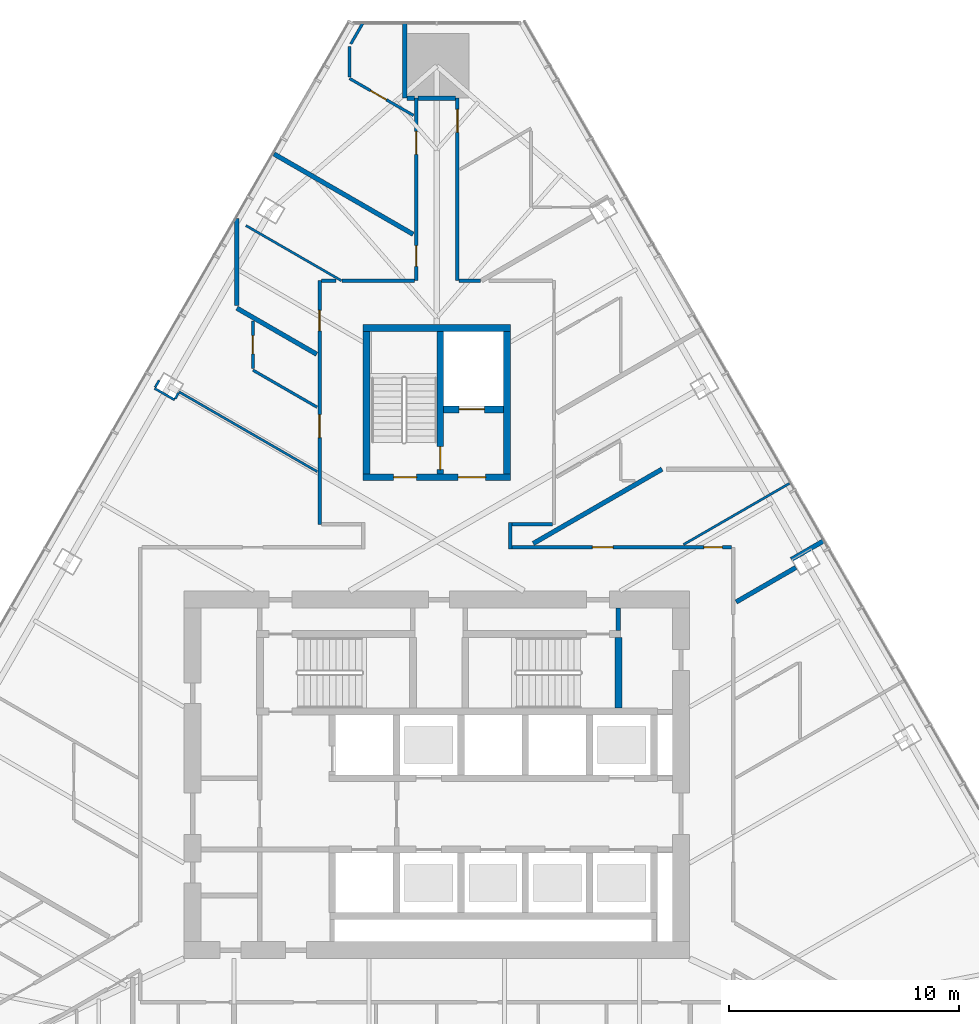
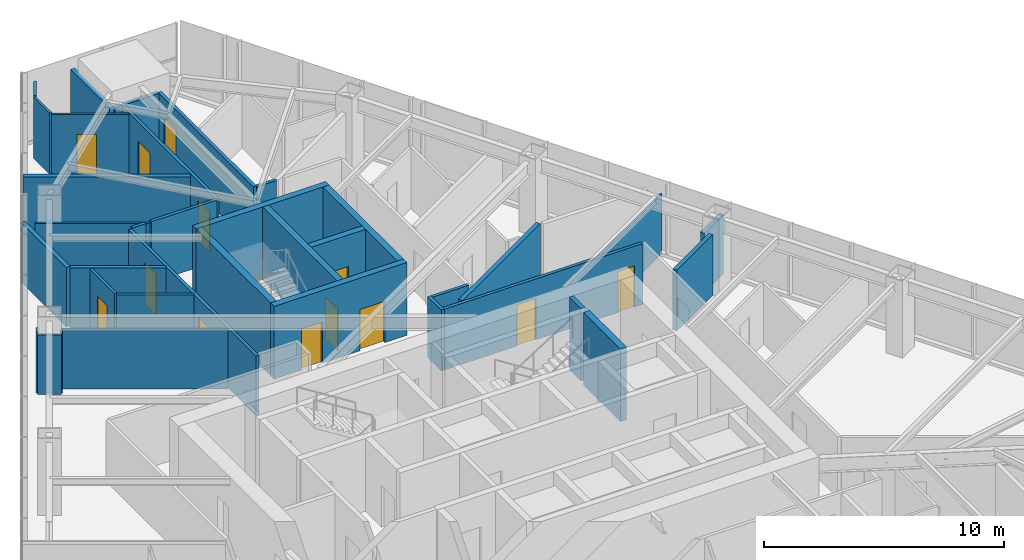
# One storey, part 16 of 19: 37 walls, 13 doors, 13 openings.
"""IFC4 building model written with IfcOpenShell, lengths in metres."""

from ifc_helpers import new_model, si_unit, direction, frame, frame_2d, origin, place, context, subcontext, project, spatial, rectangle, extrude, material, layer, layer_set, type_object, element, fill, save


model = new_model("IFC4")

# Units and contexts
model_context = context("Model", 3, precision=1e-05, world=origin(), true_north=direction((0.0, 1.0)))
body_context = subcontext(model_context, "Body", "Model", "MODEL_VIEW")
ifc_project = project(units=[si_unit("LENGTHUNIT", "METRE"), si_unit("AREAUNIT", "SQUARE_METRE"), si_unit("VOLUMEUNIT", "CUBIC_METRE"), si_unit("PLANEANGLEUNIT", "RADIAN"), si_unit("MASSUNIT", "GRAM", prefix="KILO")], contexts=[model_context])

# Site, building, storey
site_placement = place(None, origin())
site = spatial("IfcSite", under=ifc_project, at=site_placement, CompositionType="ELEMENT")
building_placement = place(site_placement, origin())
building = spatial("IfcBuilding", under=site, at=building_placement, Name="Firuza Gate Tower and Library", CompositionType="ELEMENT")
storey_placement = place(building_placement, frame((0.0, 0.0, 183.10009765625)))
storey = spatial("IfcBuildingStorey", under=building, at=storey_placement, Name="L42", CompositionType="ELEMENT", Elevation=183.10009765625)

# Walls
ifc_material_1 = material(Name="Plasterboard on steel studs", Category="steel")
ifc_layer_1 = layer(ifc_material_1, 0.199951171875)
ifc_layer_set_1 = layer_set([ifc_layer_1], Name="Core partition 200 EI 60")
wall_type_1 = type_object("IfcWallType", Name="Core partition 200 EI 60", PredefinedType="PARTITIONING", material=ifc_layer_set_1)
wall_1_placement = place(storey_placement, frame((82.89990234375, 81.280029296875, 0.0), z_axis=(0.0, 0.0, 1.0), x_axis=(0.0, 1.0, 0.0)))
element("IfcWall", 1, at=wall_1_placement, inside=storey, type_object=wall_type_1, Name="Core partition L42 14", PredefinedType="PARTITIONING", context=body_context, shape_type="SweptSolid", body=[
    extrude(rectangle(XDim=0.969970703125, YDim=0.199951171875, at=frame_2d((0.48486328125, 0.0))), origin(), (0.0, 0.0, 1.0), 3.699951171875),
])
ifc_material_2 = material(Name="Concrete C80/95", Category="concrete")
ifc_layer_2 = layer(ifc_material_2, 0.300048828125)
ifc_layer_set_2 = layer_set([ifc_layer_2], Name="Core wall 300 C80/95")
wall_type_2 = type_object("IfcWallType", Name="Core wall 300 C80/95", PredefinedType="SHEAR", material=ifc_layer_set_2)
wall_2_placement = place(storey_placement, frame((82.89990234375, 77.89990234375, 0.0), z_axis=(0.0, 0.0, 1.0), x_axis=(0.0, 1.0, 0.0)))
element("IfcWall", 2, at=wall_2_placement, inside=storey, type_object=wall_type_2, Name="Core wall L42 26", PredefinedType="SHEAR", context=body_context, shape_type="SweptSolid", body=[
    extrude(rectangle(XDim=3.080078125, YDim=0.300048828125, at=frame_2d((1.5400390625, 0.0))), origin(), (0.0, 0.0, 1.0), 3.699951171875),
])

# Wall, openings, doors
wall_3_placement = place(storey_placement, frame((71.800048828125, 87.949951171875, 0.0), z_axis=(0.0, 0.0, 1.0), x_axis=(1.0, 0.0, 0.0)))
wall_3 = element("IfcWall", 3, at=wall_3_placement, inside=storey, type_object=wall_type_2, Name="Core wall L42 27", PredefinedType="SHEAR", context=body_context, shape_type="SweptSolid", body=[
    extrude(rectangle(XDim=6.39990234375, YDim=0.300048828125, at=frame_2d((3.199951171875, 0.0))), origin(), (0.0, 0.0, 1.0), 3.699951171875),
])
opening_1_placement = place(wall_3_placement, frame((1.324951171875, 0.0, 0.0)))
opening_1 = element("IfcOpeningElement", 4, at=opening_1_placement, cuts=wall_3, Name="Opening L42-K15", PredefinedType="OPENING", context=body_context, shape_type="SweptSolid", body=[
    extrude(rectangle(XDim=1.0, YDim=2.10009765625, at=frame_2d((0.5, 1.050048828125))), frame((0.0, 0.16015625, 0.0), z_axis=(0.0, -1.0, 0.0), x_axis=(1.0, 0.0, 0.0)), (0.0, 0.0, 1.0), 0.320068359375),
])
opening_2_placement = place(wall_3_placement, frame((4.125, 0.0, 0.0)))
opening_2 = element("IfcOpeningElement", 5, at=opening_2_placement, cuts=wall_3, Name="Opening L42-K17", PredefinedType="OPENING", context=body_context, shape_type="SweptSolid", body=[
    extrude(rectangle(XDim=1.199951171875, YDim=2.10009765625, at=frame_2d((0.60009765625, 1.050048828125))), frame((0.0, 0.16015625, 0.0), z_axis=(0.0, -1.0, 0.0), x_axis=(1.0, 0.0, 0.0)), (0.0, 0.0, 1.0), 0.320068359375),
])
ifc_material_3 = material(Name="Steel", Category="steel")
door_type_1 = type_object("IfcDoorType", Name="Fire door 1000x2100 FD90", OperationType="NOTDEFINED", PredefinedType="DOOR", material=ifc_material_3)
door_1_placement = place(opening_1_placement, origin())
door_1 = element("IfcDoor", 6, at=door_1_placement, inside=storey, type_object=door_type_1, Name="Door L42-K15", OperationType="SINGLE_SWING_RIGHT", OverallHeight=2.10009765625, OverallWidth=1.0, PredefinedType="DOOR", context=body_context, shape_type="SweptSolid", body=[
    extrude(rectangle(XDim=1.0, YDim=2.10009765625, at=frame_2d((0.5, 1.050048828125))), frame((0.0, 0.02490234375, 0.0), z_axis=(0.0, -1.0, 0.0), x_axis=(1.0, 0.0, 0.0)), (0.0, 0.0, 1.0), 0.050048828125),
])
fill(opening_1, door_1)
ifc_material_4 = material(Name="Steel", Category="steel")
door_type_2 = type_object("IfcDoorType", Name="Fire door 1200x2100 FD30S", OperationType="NOTDEFINED", PredefinedType="DOOR", material=ifc_material_4)
door_2_placement = place(opening_2_placement, origin())
door_2 = element("IfcDoor", 7, at=door_2_placement, inside=storey, type_object=door_type_2, Name="Door L42-K17", OperationType="SINGLE_SWING_RIGHT", OverallHeight=2.10009765625, OverallWidth=1.199951171875, PredefinedType="DOOR", context=body_context, shape_type="SweptSolid", body=[
    extrude(rectangle(XDim=1.199951171875, YDim=2.10009765625, at=frame_2d((0.60009765625, 1.050048828125))), frame((0.0, 0.02490234375, 0.0), z_axis=(0.0, -1.0, 0.0), x_axis=(1.0, 0.0, 0.0)), (0.0, 0.0, 1.0), 0.050048828125),
])
fill(opening_2, door_2)

# Walls
wall_4_placement = place(storey_placement, frame((71.800048828125, 94.449951171875, 0.0), z_axis=(0.0, 0.0, 1.0), x_axis=(1.0, 0.0, 0.0)))
element("IfcWall", 8, at=wall_4_placement, inside=storey, type_object=wall_type_2, Name="Core wall L42 28", PredefinedType="SHEAR", context=body_context, shape_type="SweptSolid", body=[
    extrude(rectangle(XDim=6.39990234375, YDim=0.300048828125, at=frame_2d((3.199951171875, 0.0))), origin(), (0.0, 0.0, 1.0), 3.699951171875),
])
for number, where, z_axis, x_axis, name in (
    (9, (71.949951171875, 88.10009765625, 0.0), (0.0, 0.0, 1.0), (0.0, 1.0, 0.0), "Core wall L42 29"),
    (10, (78.050048828125, 88.10009765625, 0.0), (0.0, 0.0, 1.0), (0.0, 1.0, 0.0), "Core wall L42 30"),
):
    element("IfcWall", number, at=place(storey_placement, frame(where, z_axis=z_axis, x_axis=x_axis)), inside=storey, type_object=wall_type_2, Name=name, PredefinedType="SHEAR", context=body_context, shape_type="SweptSolid", body=[
        extrude(rectangle(XDim=6.199951171875, YDim=0.300048828125, at=frame_2d((3.10009765625, 0.0))), origin(), (0.0, 0.0, 1.0), 3.699951171875),
    ])

# Wall, opening, door
wall_5_placement = place(storey_placement, frame((75.300048828125, 90.89990234375, 0.0), z_axis=(0.0, 0.0, 1.0), x_axis=(1.0, 0.0, 0.0)))
wall_5 = element("IfcWall", 11, at=wall_5_placement, inside=storey, type_object=wall_type_2, Name="Core wall L42 31", PredefinedType="SHEAR", context=body_context, shape_type="SweptSolid", body=[
    extrude(rectangle(XDim=2.599853515625, YDim=0.300048828125, at=frame_2d((1.2998046875, 0.0))), origin(), (0.0, 0.0, 1.0), 3.699951171875),
])
opening_3_placement = place(wall_5_placement, frame((0.675048828125, 0.0, 0.0)))
opening_3 = element("IfcOpeningElement", 12, at=opening_3_placement, cuts=wall_5, Name="Opening LD-SV1-L42", PredefinedType="OPENING", context=body_context, shape_type="SweptSolid", body=[
    extrude(rectangle(XDim=1.10009765625, YDim=2.10009765625, at=frame_2d((0.550048828125, 1.050048828125))), frame((0.0, 0.16015625, 0.0), z_axis=(0.0, -1.0, 0.0), x_axis=(1.0, 0.0, 0.0)), (0.0, 0.0, 1.0), 0.320068359375),
])
ifc_material_5 = material(Name="Stainless steel", Category="steel")
door_type_3 = type_object("IfcDoorType", Name="Lift landing door 1100x2100", OperationType="DOUBLE_DOOR_SLIDING", PredefinedType="DOOR", material=ifc_material_5)
door_3_placement = place(opening_3_placement, origin())
door_3 = element("IfcDoor", 13, at=door_3_placement, inside=storey, type_object=door_type_3, Name="Landing door SV1 L42", OperationType="DOUBLE_DOOR_SLIDING", OverallHeight=2.10009765625, OverallWidth=1.10009765625, PredefinedType="DOOR", context=body_context, shape_type="SweptSolid", body=[
    extrude(rectangle(XDim=1.10009765625, YDim=2.10009765625, at=frame_2d((0.550048828125, 1.050048828125))), frame((0.0, 0.02490234375, 0.0), z_axis=(0.0, -1.0, 0.0), x_axis=(1.0, 0.0, 0.0)), (0.0, 0.0, 1.0), 0.050048828125),
])
fill(opening_3, door_3)

wall_6_placement = place(storey_placement, frame((75.14990234375, 88.10009765625, 0.0), z_axis=(0.0, 0.0, 1.0), x_axis=(0.0, 1.0, 0.0)))
wall_6 = element("IfcWall", 14, at=wall_6_placement, inside=storey, type_object=wall_type_2, Name="Core wall L42 32", PredefinedType="SHEAR", context=body_context, shape_type="SweptSolid", body=[
    extrude(rectangle(XDim=6.199951171875, YDim=0.300048828125, at=frame_2d((3.10009765625, 0.0))), origin(), (0.0, 0.0, 1.0), 3.699951171875),
])
opening_4_placement = place(wall_6_placement, frame((0.18505859375, 0.0, 0.0)))
opening_4 = element("IfcOpeningElement", 15, at=opening_4_placement, cuts=wall_6, Name="Opening L42-K16", PredefinedType="OPENING", context=body_context, shape_type="SweptSolid", body=[
    extrude(rectangle(XDim=1.0, YDim=2.10009765625, at=frame_2d((0.5, 1.050048828125))), frame((0.0, 0.16015625, 0.0), z_axis=(0.0, -1.0, 0.0), x_axis=(1.0, 0.0, 0.0)), (0.0, 0.0, 1.0), 0.320068359375),
])
door_4_placement = place(opening_4_placement, origin())
door_4 = element("IfcDoor", 16, at=door_4_placement, inside=storey, type_object=door_type_1, Name="Door L42-K16", OperationType="SINGLE_SWING_LEFT", OverallHeight=2.10009765625, OverallWidth=1.0, PredefinedType="DOOR", context=body_context, shape_type="SweptSolid", body=[
    extrude(rectangle(XDim=1.0, YDim=2.10009765625, at=frame_2d((0.5, 1.050048828125))), frame((0.0, 0.02490234375, 0.0), z_axis=(0.0, -1.0, 0.0), x_axis=(1.0, 0.0, 0.0)), (0.0, 0.0, 1.0), 0.050048828125),
])
fill(opening_4, door_4)

# Wall, openings, doors
ifc_material_6 = material(Name="Gypsum board partition")
ifc_layer_3 = layer(ifc_material_6, 0.14990234375)
ifc_layer_set_3 = layer_set([ifc_layer_3], Name="Corridor wall 150 double board on steel studs")
wall_type_3 = type_object("IfcWallType", Name="Corridor wall 150 double board on steel studs", PredefinedType="PARTITIONING", material=ifc_layer_set_3)
wall_7_placement = place(storey_placement, frame((78.27490234375, 84.89990234375, 0.0), z_axis=(0.0, 0.0, 1.0), x_axis=(1.0, 0.0, 0.0)))
wall_7 = element("IfcWall", 17, at=wall_7_placement, inside=storey, type_object=wall_type_3, Name="f:L42:w011", PredefinedType="PARTITIONING", context=body_context, shape_type="SweptSolid", body=[
    extrude(rectangle(XDim=9.550048828125, YDim=0.14990234375, at=frame_2d((4.77490234375, 0.0))), origin(), (0.0, 0.0, 1.0), 3.099853515625),
])
opening_5_placement = place(wall_7_placement, frame((3.4970703125, 0.0, 0.0)))
opening_5 = element("IfcOpeningElement", 18, at=opening_5_placement, cuts=wall_7, Name="Opening L42-10", PredefinedType="OPENING", context=body_context, shape_type="SweptSolid", body=[
    extrude(rectangle(XDim=0.89990234375, YDim=2.10009765625, at=frame_2d((0.449951171875, 1.050048828125))), frame((0.0, 0.0849609375, 0.0), z_axis=(0.0, -1.0, 0.0), x_axis=(1.0, 0.0, 0.0)), (0.0, 0.0, 1.0), 0.169921875),
])
opening_6_placement = place(wall_7_placement, frame((8.3505859375, 0.0, 0.0)))
opening_6 = element("IfcOpeningElement", 19, at=opening_6_placement, cuts=wall_7, Name="Opening L42-11", PredefinedType="OPENING", context=body_context, shape_type="SweptSolid", body=[
    extrude(rectangle(XDim=0.800048828125, YDim=2.10009765625, at=frame_2d((0.39990234375, 1.050048828125))), frame((0.0, 0.0849609375, 0.0), z_axis=(0.0, -1.0, 0.0), x_axis=(1.0, 0.0, 0.0)), (0.0, 0.0, 1.0), 0.169921875),
])
ifc_material_7 = material(Name="Timber door", Category="wood")
door_type_4 = type_object("IfcDoorType", Name="Door 800 x 2100 timber leaf", OperationType="NOTDEFINED", PredefinedType="DOOR", material=ifc_material_7)
door_5_placement = place(opening_6_placement, origin())
door_5 = element("IfcDoor", 20, at=door_5_placement, inside=storey, type_object=door_type_4, Name="f:L42:d011", OperationType="SINGLE_SWING_RIGHT", OverallHeight=2.10009765625, OverallWidth=0.800048828125, PredefinedType="DOOR", context=body_context, shape_type="SweptSolid", body=[
    extrude(rectangle(XDim=0.800048828125, YDim=2.10009765625, at=frame_2d((0.39990234375, 1.050048828125))), frame((0.0, 0.02490234375, 0.0), z_axis=(0.0, -1.0, 0.0), x_axis=(1.0, 0.0, 0.0)), (0.0, 0.0, 1.0), 0.050048828125),
])
fill(opening_6, door_5)
ifc_material_8 = material(Name="Steel door and timber leaf", Category="steel")
door_type_5 = type_object("IfcDoorType", Name="Fire door 900 x 2100 steel frame, timber leaf", OperationType="NOTDEFINED", PredefinedType="DOOR", material=ifc_material_8)
door_6_placement = place(opening_5_placement, origin())
door_6 = element("IfcDoor", 21, at=door_6_placement, inside=storey, type_object=door_type_5, Name="f:L42:d010", OperationType="SINGLE_SWING_LEFT", OverallHeight=2.10009765625, OverallWidth=0.89990234375, PredefinedType="DOOR", context=body_context, shape_type="SweptSolid", body=[
    extrude(rectangle(XDim=0.89990234375, YDim=2.10009765625, at=frame_2d((0.449951171875, 1.050048828125))), frame((0.0, 0.02490234375, 0.0), z_axis=(0.0, -1.0, 0.0), x_axis=(1.0, 0.0, 0.0)), (0.0, 0.0, 1.0), 0.050048828125),
])
fill(opening_5, door_6)

# Walls
wall_8_placement = place(storey_placement, frame((78.27490234375, 85.89990234375, 0.0), z_axis=(0.0, 0.0, 1.0), x_axis=(1.0, 0.0, 0.0)))
element("IfcWall", 22, at=wall_8_placement, inside=storey, type_object=wall_type_3, Name="f:L42:w013", PredefinedType="PARTITIONING", context=body_context, shape_type="SweptSolid", body=[
    extrude(rectangle(XDim=1.75, YDim=0.14990234375, at=frame_2d((0.875, 0.0))), origin(), (0.0, 0.0, 1.0), 3.099853515625),
])
wall_9_placement = place(storey_placement, frame((69.97509765625, 96.5, 0.0), z_axis=(0.0, 0.0, 1.0), x_axis=(1.0, 0.0, 0.0)))
element("IfcWall", 23, at=wall_9_placement, inside=storey, type_object=wall_type_3, Name="f:L42:w016", PredefinedType="PARTITIONING", context=body_context, shape_type="SweptSolid", body=[
    extrude(rectangle(XDim=0.64599609375, YDim=0.14990234375, at=frame_2d((0.322998046875, 0.0))), origin(), (0.0, 0.0, 1.0), 3.099853515625),
])
wall_10_placement = place(storey_placement, frame((75.97509765625, 96.5, 0.0), z_axis=(0.0, 0.0, 1.0), x_axis=(1.0, 0.0, 0.0)))
element("IfcWall", 24, at=wall_10_placement, inside=storey, type_object=wall_type_3, Name="f:L42:w017", PredefinedType="PARTITIONING", context=body_context, shape_type="SweptSolid", body=[
    extrude(rectangle(XDim=0.92529296875, YDim=0.14990234375, at=frame_2d((0.462646484375, 0.0))), origin(), (0.0, 0.0, 1.0), 3.099853515625),
])
wall_11_placement = place(storey_placement, frame((78.199951171875, 84.824951171875, 0.0), z_axis=(0.0, 0.0, 1.0), x_axis=(0.0, 1.0, 0.0)))
element("IfcWall", 25, at=wall_11_placement, inside=storey, type_object=wall_type_3, Name="f:L42:w057", PredefinedType="PARTITIONING", context=body_context, shape_type="SweptSolid", body=[
    extrude(rectangle(XDim=1.150146484375, YDim=0.14990234375, at=frame_2d((0.5751953125, 0.0))), origin(), (0.0, 0.0, 1.0), 3.099853515625),
])

# Wall, opening, door
wall_12_placement = place(storey_placement, frame((75.89990234375, 104.444580078125, 0.0), z_axis=(0.0, 0.0, 1.0), x_axis=(0.0, -1.0, 0.0)))
wall_12 = element("IfcWall", 26, at=wall_12_placement, inside=storey, type_object=wall_type_3, Name="f:L42:w058", PredefinedType="PARTITIONING", context=body_context, shape_type="SweptSolid", body=[
    extrude(rectangle(XDim=7.944580078125, YDim=0.14990234375, at=frame_2d((3.97216796875, 0.0))), origin(), (0.0, 0.0, 1.0), 3.099853515625),
])
opening_7_placement = place(wall_12_placement, frame((0.49462890625, 0.0, 0.0)))
opening_7 = element("IfcOpeningElement", 27, at=opening_7_placement, cuts=wall_12, Name="Opening L42-29", PredefinedType="OPENING", context=body_context, shape_type="SweptSolid", body=[
    extrude(rectangle(XDim=1.0, YDim=2.10009765625, at=frame_2d((0.5, 1.050048828125))), frame((0.0, 0.0849609375, 0.0), z_axis=(0.0, -1.0, 0.0), x_axis=(1.0, 0.0, 0.0)), (0.0, 0.0, 1.0), 0.169921875),
])
ifc_material_9 = material(Name="Steel door and timber leaf", Category="steel")
door_type_6 = type_object("IfcDoorType", Name="Fire door 1000 x 2100 steel frame, timber leaf", OperationType="NOTDEFINED", PredefinedType="DOOR", material=ifc_material_9)
door_7_placement = place(opening_7_placement, origin())
door_7 = element("IfcDoor", 28, at=door_7_placement, inside=storey, type_object=door_type_6, Name="f:L42:d029", OperationType="SINGLE_SWING_LEFT", OverallHeight=2.10009765625, OverallWidth=1.0, PredefinedType="DOOR", context=body_context, shape_type="SweptSolid", body=[
    extrude(rectangle(XDim=1.0, YDim=2.10009765625, at=frame_2d((0.5, 1.050048828125))), frame((0.0, 0.02490234375, 0.0), z_axis=(0.0, -1.0, 0.0), x_axis=(1.0, 0.0, 0.0)), (0.0, 0.0, 1.0), 0.050048828125),
])
fill(opening_7, door_7)

# Wall, openings, doors
wall_13_placement = place(storey_placement, frame((74.10009765625, 96.5, 0.0), z_axis=(0.0, 0.0, 1.0), x_axis=(0.0, 1.0, 0.0)))
wall_13 = element("IfcWall", 29, at=wall_13_placement, inside=storey, type_object=wall_type_3, Name="f:L42:w061", PredefinedType="PARTITIONING", context=body_context, shape_type="SweptSolid", body=[
    extrude(rectangle(XDim=7.945068359375, YDim=0.14990234375, at=frame_2d((3.97265625, 0.0))), origin(), (0.0, 0.0, 1.0), 3.099853515625),
])
opening_8_placement = place(wall_13_placement, frame((0.6240234375, 0.0, 0.0)))
opening_8 = element("IfcOpeningElement", 30, at=opening_8_placement, cuts=wall_13, Name="Opening L42-30", PredefinedType="OPENING", context=body_context, shape_type="SweptSolid", body=[
    extrude(rectangle(XDim=0.89990234375, YDim=2.10009765625, at=frame_2d((0.449951171875, 1.050048828125))), frame((0.0, 0.0849609375, 0.0), z_axis=(0.0, -1.0, 0.0), x_axis=(1.0, 0.0, 0.0)), (0.0, 0.0, 1.0), 0.169921875),
])
opening_9_placement = place(wall_13_placement, frame((5.5009765625, 0.0, 0.0)))
opening_9 = element("IfcOpeningElement", 31, at=opening_9_placement, cuts=wall_13, Name="Opening L42-31", PredefinedType="OPENING", context=body_context, shape_type="SweptSolid", body=[
    extrude(rectangle(XDim=1.0, YDim=2.10009765625, at=frame_2d((0.5, 1.050048828125))), frame((0.0, 0.0849609375, 0.0), z_axis=(0.0, -1.0, 0.0), x_axis=(1.0, 0.0, 0.0)), (0.0, 0.0, 1.0), 0.169921875),
])
door_8_placement = place(opening_9_placement, origin())
door_8 = element("IfcDoor", 32, at=door_8_placement, inside=storey, type_object=door_type_6, Name="f:L42:d031", OperationType="SINGLE_SWING_RIGHT", OverallHeight=2.10009765625, OverallWidth=1.0, PredefinedType="DOOR", context=body_context, shape_type="SweptSolid", body=[
    extrude(rectangle(XDim=1.0, YDim=2.10009765625, at=frame_2d((0.5, 1.050048828125))), frame((0.0, 0.02490234375, 0.0), z_axis=(0.0, -1.0, 0.0), x_axis=(1.0, 0.0, 0.0)), (0.0, 0.0, 1.0), 0.050048828125),
])
fill(opening_9, door_8)
door_9_placement = place(opening_8_placement, origin())
door_9 = element("IfcDoor", 33, at=door_9_placement, inside=storey, type_object=door_type_5, Name="f:L42:d030", OperationType="SINGLE_SWING_RIGHT", OverallHeight=2.10009765625, OverallWidth=0.89990234375, PredefinedType="DOOR", context=body_context, shape_type="SweptSolid", body=[
    extrude(rectangle(XDim=0.89990234375, YDim=2.10009765625, at=frame_2d((0.449951171875, 1.050048828125))), frame((0.0, 0.02490234375, 0.0), z_axis=(0.0, -1.0, 0.0), x_axis=(1.0, 0.0, 0.0)), (0.0, 0.0, 1.0), 0.050048828125),
])
fill(opening_8, door_9)

wall_14_placement = place(storey_placement, frame((69.89990234375, 85.900390625, 0.0), z_axis=(0.0, 0.0, 1.0), x_axis=(0.0, 1.0, 0.0)))
wall_14 = element("IfcWall", 34, at=wall_14_placement, inside=storey, type_object=wall_type_3, Name="f:L42:w067", PredefinedType="PARTITIONING", context=body_context, shape_type="SweptSolid", body=[
    extrude(rectangle(XDim=10.599609375, YDim=0.14990234375, at=frame_2d((5.2998046875, 0.0))), origin(), (0.0, 0.0, 1.0), 3.02197265625),
])
opening_10_placement = place(wall_14_placement, frame((3.76708984375, 0.0, 0.0)))
opening_10 = element("IfcOpeningElement", 35, at=opening_10_placement, cuts=wall_14, Name="Opening L42-33", PredefinedType="OPENING", context=body_context, shape_type="SweptSolid", body=[
    extrude(rectangle(XDim=1.0, YDim=2.10009765625, at=frame_2d((0.5, 1.050048828125))), frame((0.0, 0.0849609375, 0.0), z_axis=(0.0, -1.0, 0.0), x_axis=(1.0, 0.0, 0.0)), (0.0, 0.0, 1.0), 0.169921875),
])
opening_11_placement = place(wall_14_placement, frame((8.411865234375, 0.0, 0.0)))
opening_11 = element("IfcOpeningElement", 36, at=opening_11_placement, cuts=wall_14, Name="Opening L42-34", PredefinedType="OPENING", context=body_context, shape_type="SweptSolid", body=[
    extrude(rectangle(XDim=0.89990234375, YDim=2.10009765625, at=frame_2d((0.449951171875, 1.050048828125))), frame((0.0, 0.0849609375, 0.0), z_axis=(0.0, -1.0, 0.0), x_axis=(1.0, 0.0, 0.0)), (0.0, 0.0, 1.0), 0.169921875),
])
door_10_placement = place(opening_10_placement, origin())
door_10 = element("IfcDoor", 37, at=door_10_placement, inside=storey, type_object=door_type_6, Name="f:L42:d033", OperationType="SINGLE_SWING_RIGHT", OverallHeight=2.10009765625, OverallWidth=1.0, PredefinedType="DOOR", context=body_context, shape_type="SweptSolid", body=[
    extrude(rectangle(XDim=1.0, YDim=2.10009765625, at=frame_2d((0.5, 1.050048828125))), frame((0.0, 0.02490234375, 0.0), z_axis=(0.0, -1.0, 0.0), x_axis=(1.0, 0.0, 0.0)), (0.0, 0.0, 1.0), 0.050048828125),
])
fill(opening_10, door_10)
door_11_placement = place(opening_11_placement, origin())
door_11 = element("IfcDoor", 38, at=door_11_placement, inside=storey, type_object=door_type_5, Name="f:L42:d034", OperationType="SINGLE_SWING_LEFT", OverallHeight=2.10009765625, OverallWidth=0.89990234375, PredefinedType="DOOR", context=body_context, shape_type="SweptSolid", body=[
    extrude(rectangle(XDim=0.89990234375, YDim=2.10009765625, at=frame_2d((0.449951171875, 1.050048828125))), frame((0.0, 0.02490234375, 0.0), z_axis=(0.0, -1.0, 0.0), x_axis=(1.0, 0.0, 0.0)), (0.0, 0.0, 1.0), 0.050048828125),
])
fill(opening_11, door_11)

# Walls
wall_15_placement = place(storey_placement, frame((70.87548828125, 96.5, 0.0), z_axis=(0.0, 0.0, 1.0), x_axis=(1.0, 0.0, 0.0)))
element("IfcWall", 39, at=wall_15_placement, inside=storey, type_object=wall_type_3, Name="f:L42:w100", PredefinedType="PARTITIONING", context=body_context, shape_type="SweptSolid", body=[
    extrude(rectangle(XDim=3.1494140625, YDim=0.14990234375, at=frame_2d((1.57470703125, 0.0))), origin(), (0.0, 0.0, 1.0), 3.099853515625),
])
ifc_material_10 = material(Name="Gypsum board partition")
ifc_layer_4 = layer(ifc_material_10, 0.199951171875)
ifc_layer_set_4 = layer_set([ifc_layer_4], Name="Demising wall 200 acoustic double stud")
wall_type_4 = type_object("IfcWallType", Name="Demising wall 200 acoustic double stud", PredefinedType="PARTITIONING", material=ifc_layer_set_4)
wall_16_placement = place(storey_placement, frame((73.700439453125, 104.445068359375, 0.0), z_axis=(0.0, 0.0, 1.0), x_axis=(1.0, 0.0, 0.0)))
element("IfcWall", 40, at=wall_16_placement, inside=storey, type_object=wall_type_4, Name="f:L42:w019", PredefinedType="PARTITIONING", context=body_context, shape_type="SweptSolid", body=[
    extrude(rectangle(XDim=0.324462890625, YDim=0.199951171875, at=frame_2d((0.162109375, 0.0))), origin(), (0.0, 0.0, 1.0), 3.099853515625),
])
wall_17_placement = place(storey_placement, frame((88.02685546875, 82.521240234375, 0.0), z_axis=(0.0, 0.0, 1.0), x_axis=(0.866029639064, 0.499992664208, 0.0)))
element("IfcWall", 41, at=wall_17_placement, inside=storey, type_object=wall_type_4, Name="f:L42:w026", PredefinedType="PARTITIONING", context=body_context, shape_type="SweptSolid", body=[
    extrude(rectangle(XDim=2.998046875, YDim=0.199951171875, at=frame_2d((1.4990234375, 0.0))), origin(), (0.0, 0.0, 1.0), 3.099853515625),
])
wall_18_placement = place(storey_placement, frame((90.42333984375, 84.36669921875, 0.0), z_axis=(0.0, 0.0, 1.0), x_axis=(0.865989903783, 0.500061482766, 0.0)))
element("IfcWall", 42, at=wall_18_placement, inside=storey, type_object=wall_type_4, Name="f:L42:w027", PredefinedType="PARTITIONING", context=body_context, shape_type="SweptSolid", body=[
    extrude(rectangle(XDim=1.599853515625, YDim=0.199951171875, at=frame_2d((0.7998046875, 0.0))), origin(), (0.0, 0.0, 1.0), 3.02197265625),
])
wall_19_placement = place(storey_placement, frame((79.197265625, 85.065185546875, 0.0), z_axis=(0.0, 0.0, 1.0), x_axis=(0.86602410867, 0.500002243197, 0.0)))
element("IfcWall", 43, at=wall_19_placement, inside=storey, type_object=wall_type_4, Name="f:L42:w032", PredefinedType="PARTITIONING", context=body_context, shape_type="SweptSolid", body=[
    extrude(rectangle(XDim=6.470703125, YDim=0.199951171875, at=frame_2d((3.2353515625, 0.0))), origin(), (0.0, 0.0, 1.0), 3.099853515625),
])
wall_20_placement = place(storey_placement, frame((73.60009765625, 104.44580078125, 0.0), z_axis=(0.0, 0.0, 1.0), x_axis=(0.0, 1.0, 0.0)))
element("IfcWall", 44, at=wall_20_placement, inside=storey, type_object=wall_type_4, Name="f:L42:w062", PredefinedType="PARTITIONING", context=body_context, shape_type="SweptSolid", body=[
    extrude(rectangle(XDim=3.25927734375, YDim=0.199951171875, at=frame_2d((1.629638671875, 0.0))), origin(), (0.0, 0.0, 1.0), 3.099853515625),
])
wall_21_placement = place(storey_placement, frame((66.300048828125, 95.422607421875, 0.0), z_axis=(0.0, 0.0, 1.0), x_axis=(0.0, 1.0, 0.0)))
element("IfcWall", 45, at=wall_21_placement, inside=storey, type_object=wall_type_4, Name="f:L42:w070", PredefinedType="PARTITIONING", context=body_context, shape_type="SweptSolid", body=[
    extrude(rectangle(XDim=3.7890625, YDim=0.199951171875, at=frame_2d((1.89453125, 0.0))), origin(), (0.0, 0.0, 1.0), 3.02197265625),
])
wall_22_placement = place(storey_placement, frame((73.97314453125, 98.518310546875, 0.0), z_axis=(0.0, 0.0, 1.0), x_axis=(-0.866016957496, 0.500014629116, 0.0)))
element("IfcWall", 46, at=wall_22_placement, inside=storey, type_object=wall_type_4, Name="f:L42:w084", PredefinedType="PARTITIONING", context=body_context, shape_type="SweptSolid", body=[
    extrude(rectangle(XDim=6.991943359375, YDim=0.199951171875, at=frame_2d((3.49609375, 0.0))), origin(), (0.0, 0.0, 1.0), 3.099853515625),
])
wall_23_placement = place(storey_placement, frame((69.773193359375, 93.301513671875, 0.0), z_axis=(0.0, 0.0, 1.0), x_axis=(-0.866046692957, 0.499963124258, 0.0)))
element("IfcWall", 47, at=wall_23_placement, inside=storey, type_object=wall_type_4, Name="f:L42:w086", PredefinedType="PARTITIONING", context=body_context, shape_type="SweptSolid", body=[
    extrude(rectangle(XDim=4.010009765625, YDim=0.199951171875, at=frame_2d((2.0048828125, 0.0))), origin(), (0.0, 0.0, 1.0), 3.099853515625),
])
wall_24_placement = place(storey_placement, frame((74.175048828125, 104.445068359375, 0.0), z_axis=(0.0, 0.0, 1.0), x_axis=(1.0, 0.0, 0.0)))
element("IfcWall", 48, at=wall_24_placement, inside=storey, type_object=wall_type_4, Name="f:L42:w102", PredefinedType="PARTITIONING", context=body_context, shape_type="SweptSolid", body=[
    extrude(rectangle(XDim=1.6494140625, YDim=0.199951171875, at=frame_2d((0.82470703125, 0.0))), origin(), (0.0, 0.0, 1.0), 3.096923828125),
])
ifc_material_11 = material(Name="Gypsum board partition")
ifc_layer_5 = layer(ifc_material_11, 0.10009765625)
ifc_layer_set_5 = layer_set([ifc_layer_5], Name="Partition 100 gypsum board on steel studs")
wall_type_5 = type_object("IfcWallType", Name="Partition 100 gypsum board on steel studs", PredefinedType="PARTITIONING", material=ifc_layer_set_5)
wall_25_placement = place(storey_placement, frame((85.737060546875, 85.02001953125, 0.0), z_axis=(0.0, 0.0, 1.0), x_axis=(0.8660338432, 0.499985382219, 0.0)))
element("IfcWall", 49, at=wall_25_placement, inside=storey, type_object=wall_type_5, Name="f:L42:w029", PredefinedType="PARTITIONING", context=body_context, shape_type="SweptSolid", body=[
    extrude(rectangle(XDim=5.331787109375, YDim=0.10009765625, at=frame_2d((2.666015625, 0.0))), origin(), (0.0, 0.0, 1.0), 3.02197265625),
])
wall_26_placement = place(storey_placement, frame((63.6142578125, 91.35888671875, 0.0), z_axis=(0.0, 0.0, 1.0), x_axis=(0.499557828523, 0.866280541142, 0.0)))
element("IfcWall", 50, at=wall_26_placement, inside=storey, type_object=wall_type_5, Name="f:L42:w040", PredefinedType="PARTITIONING", context=body_context, shape_type="SweptSolid", body=[
    extrude(rectangle(XDim=0.299560546875, YDim=0.10009765625, at=frame_2d((0.14990234375, 0.0))), origin(), (0.0, 0.0, 1.0), 3.02197265625),
])
wall_27_placement = place(storey_placement, frame((62.748046875, 91.85888671875, 0.0), z_axis=(0.0, 0.0, 1.0), x_axis=(0.500044870432, 0.865999496279, 0.0)))
element("IfcWall", 51, at=wall_27_placement, inside=storey, type_object=wall_type_5, Name="f:L42:w041", PredefinedType="PARTITIONING", context=body_context, shape_type="SweptSolid", body=[
    extrude(rectangle(XDim=0.349609375, YDim=0.10009765625, at=frame_2d((0.1748046875, 0.0))), origin(), (0.0, 0.0, 1.0), 3.099853515625),
])
wall_28_placement = place(storey_placement, frame((70.8505859375, 96.500244140625, 0.0), z_axis=(0.0, 0.0, 1.0), x_axis=(-0.866016914842, 0.500014702992, 0.0)))
element("IfcWall", 52, at=wall_28_placement, inside=storey, type_object=wall_type_5, Name="f:L42:w085", PredefinedType="PARTITIONING", context=body_context, shape_type="SweptSolid", body=[
    extrude(rectangle(XDim=4.796630859375, YDim=0.10009765625, at=frame_2d((2.3984375, 0.0))), origin(), (0.0, 0.0, 1.0), 3.02197265625),
])
wall_29_placement = place(storey_placement, frame((69.799072265625, 88.19189453125, 0.0), z_axis=(0.0, 0.0, 1.0), x_axis=(-0.866013353477, 0.500020871164, 0.0)))
element("IfcWall", 53, at=wall_29_placement, inside=storey, type_object=wall_type_5, Name="f:L42:w088", PredefinedType="PARTITIONING", context=body_context, shape_type="SweptSolid", body=[
    extrude(rectangle(XDim=6.940185546875, YDim=0.10009765625, at=frame_2d((3.47021484375, 0.0))), origin(), (0.0, 0.0, 1.0), 3.02197265625),
])
wall_30_placement = place(storey_placement, frame((63.58837890625, 91.31591796875, 0.0), z_axis=(0.0, 0.0, 1.0), x_axis=(-0.866039090965, 0.499976292358, 0.0)))
element("IfcWall", 54, at=wall_30_placement, inside=storey, type_object=wall_type_5, Name="f:L42:w089", PredefinedType="PARTITIONING", context=body_context, shape_type="SweptSolid", body=[
    extrude(rectangle(XDim=0.9990234375, YDim=0.10009765625, at=frame_2d((0.49951171875, 0.0))), origin(), (0.0, 0.0, 1.0), 3.02197265625),
])
ifc_material_12 = material(Name="Gypsum board partition")
ifc_layer_6 = layer(ifc_material_12, 0.1201171875)
ifc_layer_set_6 = layer_set([ifc_layer_6], Name="Wet-area partition 120 moisture-resistant board")
wall_type_6 = type_object("IfcWallType", Name="Wet-area partition 120 moisture-resistant board", PredefinedType="PARTITIONING", material=ifc_layer_set_6)
wall_31_placement = place(storey_placement, frame((71.26025390625, 106.802490234375, 0.0), z_axis=(0.0, 0.0, 1.0), x_axis=(0.500094169602, 0.865971028112, 0.0)))
element("IfcWall", 55, at=wall_31_placement, inside=storey, type_object=wall_type_6, Name="f:L42:w042", PredefinedType="PARTITIONING", context=body_context, shape_type="SweptSolid", body=[
    extrude(rectangle(XDim=1.042236328125, YDim=0.1201171875, at=frame_2d((0.52099609375, 0.0))), origin(), (0.0, 0.0, 1.0), 3.099853515625),
])
wall_32_placement = place(storey_placement, frame((71.199951171875, 105.369384765625, 0.0), z_axis=(0.0, 0.0, 1.0), x_axis=(0.0, 1.0, 0.0)))
element("IfcWall", 56, at=wall_32_placement, inside=storey, type_object=wall_type_6, Name="f:L42:w066", PredefinedType="PARTITIONING", context=body_context, shape_type="SweptSolid", body=[
    extrude(rectangle(XDim=1.329345703125, YDim=0.1201171875, at=frame_2d((0.66455078125, 0.0))), origin(), (0.0, 0.0, 1.0), 3.099853515625),
])

# Wall, opening, door
wall_33_placement = place(storey_placement, frame((67.0, 94.74658203125, 0.0), z_axis=(0.0, 0.0, 1.0), x_axis=(0.0, -1.0, 0.0)))
wall_33 = element("IfcWall", 57, at=wall_33_placement, inside=storey, type_object=wall_type_6, Name="f:L42:w068", PredefinedType="PARTITIONING", context=body_context, shape_type="SweptSolid", body=[
    extrude(rectangle(XDim=2.067626953125, YDim=0.1201171875, at=frame_2d((1.03369140625, 0.0))), origin(), (0.0, 0.0, 1.0), 3.099853515625),
])
opening_12_placement = place(wall_33_placement, frame((0.6337890625, 0.0, 0.0)))
opening_12 = element("IfcOpeningElement", 58, at=opening_12_placement, cuts=wall_33, Name="Opening L42-35", PredefinedType="OPENING", context=body_context, shape_type="SweptSolid", body=[
    extrude(rectangle(XDim=0.800048828125, YDim=2.10009765625, at=frame_2d((0.39990234375, 1.050048828125))), frame((0.0, 0.070068359375, 0.0), z_axis=(0.0, -1.0, 0.0), x_axis=(1.0, 0.0, 0.0)), (0.0, 0.0, 1.0), 0.14013671875),
])
door_12_placement = place(opening_12_placement, origin())
door_12 = element("IfcDoor", 59, at=door_12_placement, inside=storey, type_object=door_type_4, Name="f:L42:d035", OperationType="SINGLE_SWING_RIGHT", OverallHeight=2.10009765625, OverallWidth=0.800048828125, PredefinedType="DOOR", context=body_context, shape_type="SweptSolid", body=[
    extrude(rectangle(XDim=0.800048828125, YDim=2.10009765625, at=frame_2d((0.39990234375, 1.050048828125))), frame((0.0, 0.02490234375, 0.0), z_axis=(0.0, -1.0, 0.0), x_axis=(1.0, 0.0, 0.0)), (0.0, 0.0, 1.0), 0.050048828125),
])
fill(opening_12, door_12)

wall_34_placement = place(storey_placement, frame((71.2001953125, 105.300537109375, 0.0), z_axis=(0.0, 0.0, 1.0), x_axis=(0.866010186656, -0.500026355914, 0.0)))
wall_34 = element("IfcWall", 60, at=wall_34_placement, inside=storey, type_object=wall_type_6, Name="f:L42:w083", PredefinedType="PARTITIONING", context=body_context, shape_type="SweptSolid", body=[
    extrude(rectangle(XDim=3.221923828125, YDim=0.1201171875, at=frame_2d((1.61083984375, 0.0))), origin(), (0.0, 0.0, 1.0), 3.099853515625),
])
opening_13_placement = place(wall_34_placement, frame((1.06103515625, 0.0, 0.0)))
opening_13 = element("IfcOpeningElement", 61, at=opening_13_placement, cuts=wall_34, Name="Opening L42-38", PredefinedType="OPENING", context=body_context, shape_type="SweptSolid", body=[
    extrude(rectangle(XDim=0.800048828125, YDim=2.10009765625, at=frame_2d((0.39990234375, 1.050048828125))), frame((0.0, 0.070068359375, 0.0), z_axis=(0.0, -1.0, 0.0), x_axis=(1.0, 0.0, 0.0)), (0.0, 0.0, 1.0), 0.14013671875),
])
door_13_placement = place(opening_13_placement, origin())
door_13 = element("IfcDoor", 62, at=door_13_placement, inside=storey, type_object=door_type_4, Name="f:L42:d038", OperationType="SINGLE_SWING_RIGHT", OverallHeight=2.10009765625, OverallWidth=0.800048828125, PredefinedType="DOOR", context=body_context, shape_type="SweptSolid", body=[
    extrude(rectangle(XDim=0.800048828125, YDim=2.10009765625, at=frame_2d((0.39990234375, 1.050048828125))), frame((0.0, 0.02490234375, 0.0), z_axis=(0.0, -1.0, 0.0), x_axis=(1.0, 0.0, 0.0)), (0.0, 0.0, 1.0), 0.050048828125),
])
fill(opening_13, door_13)

# Wall
wall_35_placement = place(storey_placement, frame((69.790283203125, 90.998291015625, 0.0), z_axis=(0.0, 0.0, 1.0), x_axis=(-0.866029130051, 0.499993545862, 0.0)))
element("IfcWall", 63, at=wall_35_placement, inside=storey, type_object=wall_type_6, Name="f:L42:w087", PredefinedType="PARTITIONING", context=body_context, shape_type="SweptSolid", body=[
    extrude(rectangle(XDim=3.22216796875, YDim=0.1201171875, at=frame_2d((1.611083984375, 0.0))), origin(), (0.0, 0.0, 1.0), 3.099853515625),
])

save(model, "model.ifc")
